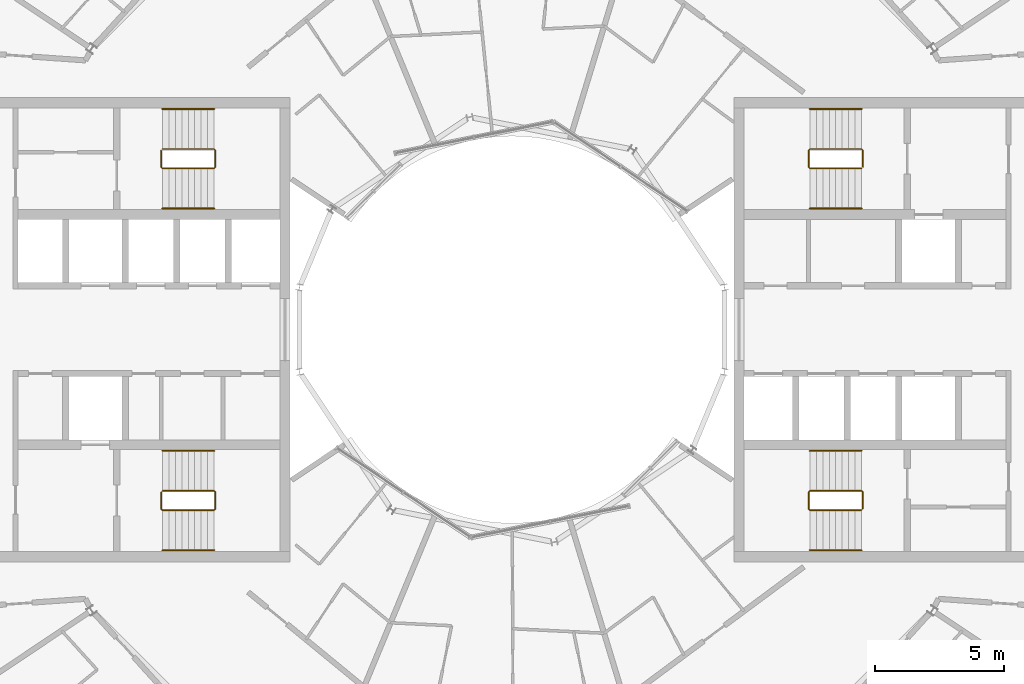
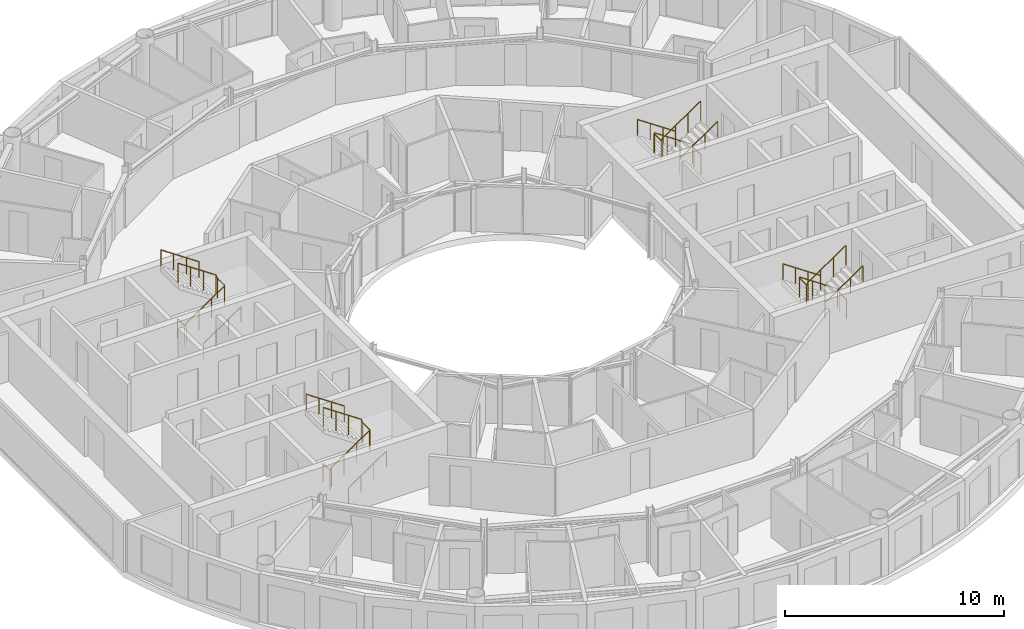
# One storey, part 22 of 22: 12 railings.
"""IFC4 building model written with IfcOpenShell, lengths in metres."""

from ifc_helpers import new_model, si_unit, direction, frame, origin, origin_2d, place, context, subcontext, project, spatial, circle, extrude, material, type_object, element, save


model = new_model("IFC4")

# Units and contexts
model_context = context("Model", 3, precision=1e-05, world=origin(), true_north=direction((0.0, 1.0)))
body_context = subcontext(model_context, "Body", "Model", "MODEL_VIEW")
ifc_project = project(units=[si_unit("LENGTHUNIT", "METRE"), si_unit("AREAUNIT", "SQUARE_METRE"), si_unit("VOLUMEUNIT", "CUBIC_METRE"), si_unit("PLANEANGLEUNIT", "RADIAN"), si_unit("MASSUNIT", "GRAM", prefix="KILO")], contexts=[model_context])

# Site, building, storey
site_placement = place(None, origin())
site = spatial("IfcSite", under=ifc_project, at=site_placement, CompositionType="ELEMENT")
building_placement = place(site_placement, origin())
building = spatial("IfcBuilding", under=site, at=building_placement, Name="Maasbend Ring Residences", CompositionType="ELEMENT")
storey_placement = place(building_placement, frame((0.0, 0.0, 237.10009765625)))
storey = spatial("IfcBuildingStorey", under=building, at=storey_placement, Name="L68", CompositionType="ELEMENT", Elevation=237.10009765625)

# Railings
ifc_material_1 = material(Name="Stainless steel 316", Category="steel")
railing_type_1 = type_object("IfcRailingType", Name="STAIR GUARD 1100", PredefinedType="GUARDRAIL", material=ifc_material_1)
railing_1_placement = place(storey_placement, frame((13.60009765625, 6.300048828125, 0.0)))
element("IfcRailing", 1, at=railing_1_placement, inside=storey, type_object=railing_type_1, Name="L68 ST-E1 stair guard 1", PredefinedType="GUARDRAIL", context=body_context, shape_type="SweptSolid", body=[
    extrude(circle(Radius=0.02392578125, at=origin_2d()), frame((0.0, 0.0, 1.076171875), z_axis=(0.0, 1.0, 0.0), x_axis=(-1.0, 0.0, 0.0)), (0.0, 0.0, 1.0), 0.64990234375),
    extrude(circle(Radius=0.02392578125, at=origin_2d()), frame((0.0, 0.64990234375, 1.076171875), z_axis=(-0.272562526181, 0.272562526181, 0.92272386912), x_axis=(-0.707106781187, -0.707106781187, 0.0)), (0.0, 0.0, 1.0), 0.18359375),
    extrude(circle(Radius=0.02392578125, at=origin_2d()), frame((-0.050048828125, 0.699951171875, 1.24560546875), z_axis=(-0.827797584762, 0.0, 0.561026878735), x_axis=(0.0, -1.0, 0.0)), (0.0, 0.0, 1.0), 2.416015625),
    extrude(circle(Radius=0.02392578125, at=origin_2d()), frame((-2.050048828125, 0.699951171875, 2.60107421875), z_axis=(-0.707106781187, -0.707106781187, 0.0), x_axis=(0.707106781187, -0.707106781187, 0.0)), (0.0, 0.0, 1.0), 0.07080078125),
    extrude(circle(Radius=0.02392578125, at=origin_2d()), frame((-2.10009765625, 0.64990234375, 2.60107421875), z_axis=(0.0, -1.0, 0.0), x_axis=(1.0, 0.0, 0.0)), (0.0, 0.0, 1.0), 0.64990234375),
    extrude(circle(Radius=0.02392578125, at=origin_2d()), frame((-2.10009765625, 0.0, 2.60107421875), z_axis=(0.272562526181, -0.272562526181, 0.92272386912), x_axis=(0.707106781187, 0.707106781187, 0.0)), (0.0, 0.0, 1.0), 0.18359375),
    extrude(circle(Radius=0.02392578125, at=origin_2d()), frame((-2.050048828125, -0.050048828125, 2.7705078125), z_axis=(0.827797584762, 0.0, 0.561026878735), x_axis=(0.0, 1.0, 0.0)), (0.0, 0.0, 1.0), 2.416015625),
    extrude(circle(Radius=0.02099609375, at=origin_2d()), origin(), (0.0, 0.0, 1.0), 1.052001953125),
    extrude(circle(Radius=0.02099609375, at=origin_2d()), frame((0.0, 0.64990234375, 0.0)), (0.0, 0.0, 1.0), 1.052001953125),
    extrude(circle(Radius=0.02099609375, at=origin_2d()), frame((-0.050048828125, 0.699951171875, 0.16943359375)), (0.0, 0.0, 1.0), 1.052001953125),
    extrude(circle(Radius=0.02099609375, at=origin_2d()), frame((-0.716796875, 0.699951171875, 0.621337890625)), (0.0, 0.0, 1.0), 1.052001953125),
    extrude(circle(Radius=0.02099609375, at=origin_2d()), frame((-1.38330078125, 0.699951171875, 1.072998046875)), (0.0, 0.0, 1.0), 1.052001953125),
    extrude(circle(Radius=0.02099609375, at=origin_2d()), frame((-2.050048828125, 0.699951171875, 1.52490234375)), (0.0, 0.0, 1.0), 1.052001953125),
    extrude(circle(Radius=0.02099609375, at=origin_2d()), frame((-2.10009765625, 0.64990234375, 1.52490234375)), (0.0, 0.0, 1.0), 1.052001953125),
    extrude(circle(Radius=0.02099609375, at=origin_2d()), frame((-2.10009765625, 0.0, 1.52490234375)), (0.0, 0.0, 1.0), 1.052001953125),
    extrude(circle(Radius=0.02099609375, at=origin_2d()), frame((-2.050048828125, -0.050048828125, 1.6943359375)), (0.0, 0.0, 1.0), 1.052001953125),
    extrude(circle(Radius=0.02099609375, at=origin_2d()), frame((-1.38330078125, -0.050048828125, 2.146240234375)), (0.0, 0.0, 1.0), 1.052001953125),
    extrude(circle(Radius=0.02099609375, at=origin_2d()), frame((-0.716796875, -0.050048828125, 2.597900390625)), (0.0, 0.0, 1.0), 1.052001953125),
    extrude(circle(Radius=0.02099609375, at=origin_2d()), frame((-0.050048828125, -0.050048828125, 3.0498046875)), (0.0, 0.0, 1.0), 1.052001953125),
])
railing_2_placement = place(storey_placement, frame((13.60009765625, -6.949951171875, 0.0)))
element("IfcRailing", 2, at=railing_2_placement, inside=storey, type_object=railing_type_1, Name="L68 ST-E2 stair guard 1", PredefinedType="GUARDRAIL", context=body_context, shape_type="SweptSolid", body=[
    extrude(circle(Radius=0.02392578125, at=origin_2d()), frame((0.0, 0.0, 1.076171875), z_axis=(0.0, 1.0, 0.0), x_axis=(-1.0, 0.0, 0.0)), (0.0, 0.0, 1.0), 0.64990234375),
    extrude(circle(Radius=0.02392578125, at=origin_2d()), frame((0.0, 0.64990234375, 1.076171875), z_axis=(-0.272562526181, 0.272562526181, 0.92272386912), x_axis=(-0.707106781187, -0.707106781187, 0.0)), (0.0, 0.0, 1.0), 0.18359375),
    extrude(circle(Radius=0.02392578125, at=origin_2d()), frame((-0.050048828125, 0.699951171875, 1.24560546875), z_axis=(-0.827797584762, 0.0, 0.561026878735), x_axis=(0.0, -1.0, 0.0)), (0.0, 0.0, 1.0), 2.416015625),
    extrude(circle(Radius=0.02392578125, at=origin_2d()), frame((-2.050048828125, 0.699951171875, 2.60107421875), z_axis=(-0.707106781187, -0.707106781187, 0.0), x_axis=(0.707106781187, -0.707106781187, 0.0)), (0.0, 0.0, 1.0), 0.07080078125),
    extrude(circle(Radius=0.02392578125, at=origin_2d()), frame((-2.10009765625, 0.64990234375, 2.60107421875), z_axis=(0.0, -1.0, 0.0), x_axis=(1.0, 0.0, 0.0)), (0.0, 0.0, 1.0), 0.64990234375),
    extrude(circle(Radius=0.02392578125, at=origin_2d()), frame((-2.10009765625, 0.0, 2.60107421875), z_axis=(0.272562526181, -0.272562526181, 0.92272386912), x_axis=(0.707106781187, 0.707106781187, 0.0)), (0.0, 0.0, 1.0), 0.18359375),
    extrude(circle(Radius=0.02392578125, at=origin_2d()), frame((-2.050048828125, -0.050048828125, 2.7705078125), z_axis=(0.827797584762, 0.0, 0.561026878735), x_axis=(0.0, 1.0, 0.0)), (0.0, 0.0, 1.0), 2.416015625),
    extrude(circle(Radius=0.02099609375, at=origin_2d()), origin(), (0.0, 0.0, 1.0), 1.052001953125),
    extrude(circle(Radius=0.02099609375, at=origin_2d()), frame((0.0, 0.64990234375, 0.0)), (0.0, 0.0, 1.0), 1.052001953125),
    extrude(circle(Radius=0.02099609375, at=origin_2d()), frame((-0.050048828125, 0.699951171875, 0.16943359375)), (0.0, 0.0, 1.0), 1.052001953125),
    extrude(circle(Radius=0.02099609375, at=origin_2d()), frame((-0.716796875, 0.699951171875, 0.621337890625)), (0.0, 0.0, 1.0), 1.052001953125),
    extrude(circle(Radius=0.02099609375, at=origin_2d()), frame((-1.38330078125, 0.699951171875, 1.072998046875)), (0.0, 0.0, 1.0), 1.052001953125),
    extrude(circle(Radius=0.02099609375, at=origin_2d()), frame((-2.050048828125, 0.699951171875, 1.52490234375)), (0.0, 0.0, 1.0), 1.052001953125),
    extrude(circle(Radius=0.02099609375, at=origin_2d()), frame((-2.10009765625, 0.64990234375, 1.52490234375)), (0.0, 0.0, 1.0), 1.052001953125),
    extrude(circle(Radius=0.02099609375, at=origin_2d()), frame((-2.10009765625, 0.0, 1.52490234375)), (0.0, 0.0, 1.0), 1.052001953125),
    extrude(circle(Radius=0.02099609375, at=origin_2d()), frame((-2.050048828125, -0.050048828125, 1.6943359375)), (0.0, 0.0, 1.0), 1.052001953125),
    extrude(circle(Radius=0.02099609375, at=origin_2d()), frame((-1.38330078125, -0.050048828125, 2.146240234375)), (0.0, 0.0, 1.0), 1.052001953125),
    extrude(circle(Radius=0.02099609375, at=origin_2d()), frame((-0.716796875, -0.050048828125, 2.597900390625)), (0.0, 0.0, 1.0), 1.052001953125),
    extrude(circle(Radius=0.02099609375, at=origin_2d()), frame((-0.050048828125, -0.050048828125, 3.0498046875)), (0.0, 0.0, 1.0), 1.052001953125),
])
railing_3_placement = place(storey_placement, frame((-13.60009765625, -6.300048828125, 0.0)))
element("IfcRailing", 3, at=railing_3_placement, inside=storey, type_object=railing_type_1, Name="L68 ST-W1 stair guard 1", PredefinedType="GUARDRAIL", context=body_context, shape_type="SweptSolid", body=[
    extrude(circle(Radius=0.02392578125, at=origin_2d()), frame((0.0, 0.0, 1.076171875), z_axis=(0.0, -1.0, 0.0), x_axis=(1.0, 0.0, 0.0)), (0.0, 0.0, 1.0), 0.64990234375),
    extrude(circle(Radius=0.02392578125, at=origin_2d()), frame((0.0, -0.64990234375, 1.076171875), z_axis=(0.272562526181, -0.272562526181, 0.92272386912), x_axis=(0.707106781187, 0.707106781187, 0.0)), (0.0, 0.0, 1.0), 0.18359375),
    extrude(circle(Radius=0.02392578125, at=origin_2d()), frame((0.050048828125, -0.699951171875, 1.24560546875), z_axis=(0.827797584762, 0.0, 0.561026878735), x_axis=(0.0, 1.0, 0.0)), (0.0, 0.0, 1.0), 2.416015625),
    extrude(circle(Radius=0.02392578125, at=origin_2d()), frame((2.050048828125, -0.699951171875, 2.60107421875), z_axis=(0.707106781187, 0.707106781187, 0.0), x_axis=(-0.707106781187, 0.707106781187, 0.0)), (0.0, 0.0, 1.0), 0.07080078125),
    extrude(circle(Radius=0.02392578125, at=origin_2d()), frame((2.10009765625, -0.64990234375, 2.60107421875), z_axis=(0.0, 1.0, 0.0), x_axis=(-1.0, 0.0, 0.0)), (0.0, 0.0, 1.0), 0.64990234375),
    extrude(circle(Radius=0.02392578125, at=origin_2d()), frame((2.10009765625, 0.0, 2.60107421875), z_axis=(-0.272562526181, 0.272562526181, 0.92272386912), x_axis=(-0.707106781187, -0.707106781187, 0.0)), (0.0, 0.0, 1.0), 0.18359375),
    extrude(circle(Radius=0.02392578125, at=origin_2d()), frame((2.050048828125, 0.050048828125, 2.7705078125), z_axis=(-0.827797584762, 0.0, 0.561026878735), x_axis=(0.0, -1.0, 0.0)), (0.0, 0.0, 1.0), 2.416015625),
    extrude(circle(Radius=0.02099609375, at=origin_2d()), origin(), (0.0, 0.0, 1.0), 1.052001953125),
    extrude(circle(Radius=0.02099609375, at=origin_2d()), frame((0.0, -0.64990234375, 0.0)), (0.0, 0.0, 1.0), 1.052001953125),
    extrude(circle(Radius=0.02099609375, at=origin_2d()), frame((0.050048828125, -0.699951171875, 0.16943359375)), (0.0, 0.0, 1.0), 1.052001953125),
    extrude(circle(Radius=0.02099609375, at=origin_2d()), frame((0.716796875, -0.699951171875, 0.621337890625)), (0.0, 0.0, 1.0), 1.052001953125),
    extrude(circle(Radius=0.02099609375, at=origin_2d()), frame((1.38330078125, -0.699951171875, 1.072998046875)), (0.0, 0.0, 1.0), 1.052001953125),
    extrude(circle(Radius=0.02099609375, at=origin_2d()), frame((2.050048828125, -0.699951171875, 1.52490234375)), (0.0, 0.0, 1.0), 1.052001953125),
    extrude(circle(Radius=0.02099609375, at=origin_2d()), frame((2.10009765625, -0.64990234375, 1.52490234375)), (0.0, 0.0, 1.0), 1.052001953125),
    extrude(circle(Radius=0.02099609375, at=origin_2d()), frame((2.10009765625, 0.0, 1.52490234375)), (0.0, 0.0, 1.0), 1.052001953125),
    extrude(circle(Radius=0.02099609375, at=origin_2d()), frame((2.050048828125, 0.050048828125, 1.6943359375)), (0.0, 0.0, 1.0), 1.052001953125),
    extrude(circle(Radius=0.02099609375, at=origin_2d()), frame((1.38330078125, 0.050048828125, 2.146240234375)), (0.0, 0.0, 1.0), 1.052001953125),
    extrude(circle(Radius=0.02099609375, at=origin_2d()), frame((0.716796875, 0.050048828125, 2.597900390625)), (0.0, 0.0, 1.0), 1.052001953125),
    extrude(circle(Radius=0.02099609375, at=origin_2d()), frame((0.050048828125, 0.050048828125, 3.0498046875)), (0.0, 0.0, 1.0), 1.052001953125),
])
railing_4_placement = place(storey_placement, frame((-13.60009765625, 6.949951171875, 0.0)))
element("IfcRailing", 4, at=railing_4_placement, inside=storey, type_object=railing_type_1, Name="L68 ST-W2 stair guard 1", PredefinedType="GUARDRAIL", context=body_context, shape_type="SweptSolid", body=[
    extrude(circle(Radius=0.02392578125, at=origin_2d()), frame((0.0, 0.0, 1.076171875), z_axis=(0.0, -1.0, 0.0), x_axis=(1.0, 0.0, 0.0)), (0.0, 0.0, 1.0), 0.64990234375),
    extrude(circle(Radius=0.02392578125, at=origin_2d()), frame((0.0, -0.64990234375, 1.076171875), z_axis=(0.272562526181, -0.272562526181, 0.92272386912), x_axis=(0.707106781187, 0.707106781187, 0.0)), (0.0, 0.0, 1.0), 0.18359375),
    extrude(circle(Radius=0.02392578125, at=origin_2d()), frame((0.050048828125, -0.699951171875, 1.24560546875), z_axis=(0.827797584762, 0.0, 0.561026878735), x_axis=(0.0, 1.0, 0.0)), (0.0, 0.0, 1.0), 2.416015625),
    extrude(circle(Radius=0.02392578125, at=origin_2d()), frame((2.050048828125, -0.699951171875, 2.60107421875), z_axis=(0.707106781187, 0.707106781187, 0.0), x_axis=(-0.707106781187, 0.707106781187, 0.0)), (0.0, 0.0, 1.0), 0.07080078125),
    extrude(circle(Radius=0.02392578125, at=origin_2d()), frame((2.10009765625, -0.64990234375, 2.60107421875), z_axis=(0.0, 1.0, 0.0), x_axis=(-1.0, 0.0, 0.0)), (0.0, 0.0, 1.0), 0.64990234375),
    extrude(circle(Radius=0.02392578125, at=origin_2d()), frame((2.10009765625, 0.0, 2.60107421875), z_axis=(-0.272562526181, 0.272562526181, 0.92272386912), x_axis=(-0.707106781187, -0.707106781187, 0.0)), (0.0, 0.0, 1.0), 0.18359375),
    extrude(circle(Radius=0.02392578125, at=origin_2d()), frame((2.050048828125, 0.050048828125, 2.7705078125), z_axis=(-0.827797584762, 0.0, 0.561026878735), x_axis=(0.0, -1.0, 0.0)), (0.0, 0.0, 1.0), 2.416015625),
    extrude(circle(Radius=0.02099609375, at=origin_2d()), origin(), (0.0, 0.0, 1.0), 1.052001953125),
    extrude(circle(Radius=0.02099609375, at=origin_2d()), frame((0.0, -0.64990234375, 0.0)), (0.0, 0.0, 1.0), 1.052001953125),
    extrude(circle(Radius=0.02099609375, at=origin_2d()), frame((0.050048828125, -0.699951171875, 0.16943359375)), (0.0, 0.0, 1.0), 1.052001953125),
    extrude(circle(Radius=0.02099609375, at=origin_2d()), frame((0.716796875, -0.699951171875, 0.621337890625)), (0.0, 0.0, 1.0), 1.052001953125),
    extrude(circle(Radius=0.02099609375, at=origin_2d()), frame((1.38330078125, -0.699951171875, 1.072998046875)), (0.0, 0.0, 1.0), 1.052001953125),
    extrude(circle(Radius=0.02099609375, at=origin_2d()), frame((2.050048828125, -0.699951171875, 1.52490234375)), (0.0, 0.0, 1.0), 1.052001953125),
    extrude(circle(Radius=0.02099609375, at=origin_2d()), frame((2.10009765625, -0.64990234375, 1.52490234375)), (0.0, 0.0, 1.0), 1.052001953125),
    extrude(circle(Radius=0.02099609375, at=origin_2d()), frame((2.10009765625, 0.0, 1.52490234375)), (0.0, 0.0, 1.0), 1.052001953125),
    extrude(circle(Radius=0.02099609375, at=origin_2d()), frame((2.050048828125, 0.050048828125, 1.6943359375)), (0.0, 0.0, 1.0), 1.052001953125),
    extrude(circle(Radius=0.02099609375, at=origin_2d()), frame((1.38330078125, 0.050048828125, 2.146240234375)), (0.0, 0.0, 1.0), 1.052001953125),
    extrude(circle(Radius=0.02099609375, at=origin_2d()), frame((0.716796875, 0.050048828125, 2.597900390625)), (0.0, 0.0, 1.0), 1.052001953125),
    extrude(circle(Radius=0.02099609375, at=origin_2d()), frame((0.050048828125, 0.050048828125, 3.0498046875)), (0.0, 0.0, 1.0), 1.052001953125),
])
ifc_material_2 = material(Name="Stainless steel 316", Category="steel")
railing_type_2 = type_object("IfcRailingType", Name="STAIR HANDRAIL 900", PredefinedType="HANDRAIL", material=ifc_material_2)
railing_5_placement = place(storey_placement, frame((13.550048828125, 8.550048828125, 0.16943359375)))
element("IfcRailing", 5, at=railing_5_placement, inside=storey, type_object=railing_type_2, Name="L68 ST-E1 stair handrail 1", PredefinedType="HANDRAIL", context=body_context, shape_type="SweptSolid", body=[
    extrude(circle(Radius=0.02392578125, at=origin_2d()), frame((0.0, 0.0, 0.8759765625), z_axis=(-0.827797584762, 0.0, 0.561026878735), x_axis=(0.0, -1.0, 0.0)), (0.0, 0.0, 1.0), 2.416015625),
    extrude(circle(Radius=0.02099609375, at=origin_2d()), origin(), (0.0, 0.0, 1.0), 0.851806640625),
    extrude(circle(Radius=0.02099609375, at=origin_2d()), frame((-0.666748046875, 0.0, 0.451904296875)), (0.0, 0.0, 1.0), 0.851806640625),
    extrude(circle(Radius=0.02099609375, at=origin_2d()), frame((-1.333251953125, 0.0, 0.903564453125)), (0.0, 0.0, 1.0), 0.851806640625),
    extrude(circle(Radius=0.02099609375, at=origin_2d()), frame((-2.0, 0.0, 1.35546875)), (0.0, 0.0, 1.0), 0.851806640625),
])
railing_6_placement = place(storey_placement, frame((11.550048828125, 4.699951171875, 1.6943359375)))
element("IfcRailing", 6, at=railing_6_placement, inside=storey, type_object=railing_type_2, Name="L68 ST-E1 stair handrail 2", PredefinedType="HANDRAIL", context=body_context, shape_type="SweptSolid", body=[
    extrude(circle(Radius=0.02392578125, at=origin_2d()), frame((0.0, 0.0, 0.8759765625), z_axis=(0.827797584762, 0.0, 0.561026878735), x_axis=(0.0, 1.0, 0.0)), (0.0, 0.0, 1.0), 2.416015625),
    extrude(circle(Radius=0.02099609375, at=origin_2d()), origin(), (0.0, 0.0, 1.0), 0.851806640625),
    extrude(circle(Radius=0.02099609375, at=origin_2d()), frame((0.666748046875, 0.0, 0.451904296875)), (0.0, 0.0, 1.0), 0.851806640625),
    extrude(circle(Radius=0.02099609375, at=origin_2d()), frame((1.333251953125, 0.0, 0.903564453125)), (0.0, 0.0, 1.0), 0.851806640625),
    extrude(circle(Radius=0.02099609375, at=origin_2d()), frame((2.0, 0.0, 1.35546875)), (0.0, 0.0, 1.0), 0.851806640625),
])
railing_7_placement = place(storey_placement, frame((13.550048828125, -4.699951171875, 0.16943359375)))
element("IfcRailing", 7, at=railing_7_placement, inside=storey, type_object=railing_type_2, Name="L68 ST-E2 stair handrail 1", PredefinedType="HANDRAIL", context=body_context, shape_type="SweptSolid", body=[
    extrude(circle(Radius=0.02392578125, at=origin_2d()), frame((0.0, 0.0, 0.8759765625), z_axis=(-0.827797584762, 0.0, 0.561026878735), x_axis=(0.0, -1.0, 0.0)), (0.0, 0.0, 1.0), 2.416015625),
    extrude(circle(Radius=0.02099609375, at=origin_2d()), origin(), (0.0, 0.0, 1.0), 0.851806640625),
    extrude(circle(Radius=0.02099609375, at=origin_2d()), frame((-0.666748046875, 0.0, 0.451904296875)), (0.0, 0.0, 1.0), 0.851806640625),
    extrude(circle(Radius=0.02099609375, at=origin_2d()), frame((-1.333251953125, 0.0, 0.903564453125)), (0.0, 0.0, 1.0), 0.851806640625),
    extrude(circle(Radius=0.02099609375, at=origin_2d()), frame((-2.0, 0.0, 1.35546875)), (0.0, 0.0, 1.0), 0.851806640625),
])
for number, where, name in (
    (8, (11.550048828125, -8.550048828125, 1.6943359375), "L68 ST-E2 stair handrail 2"),
    (9, (-13.550048828125, -8.550048828125, 0.16943359375), "L68 ST-W1 stair handrail 1"),
):
    element("IfcRailing", number, at=place(storey_placement, frame(where)), inside=storey, type_object=railing_type_2, Name=name, PredefinedType="HANDRAIL", context=body_context, shape_type="SweptSolid", body=[
        extrude(circle(Radius=0.02392578125, at=origin_2d()), frame((0.0, 0.0, 0.8759765625), z_axis=(0.827797584762, 0.0, 0.561026878735), x_axis=(0.0, 1.0, 0.0)), (0.0, 0.0, 1.0), 2.416015625),
        extrude(circle(Radius=0.02099609375, at=origin_2d()), origin(), (0.0, 0.0, 1.0), 0.851806640625),
        extrude(circle(Radius=0.02099609375, at=origin_2d()), frame((0.666748046875, 0.0, 0.451904296875)), (0.0, 0.0, 1.0), 0.851806640625),
        extrude(circle(Radius=0.02099609375, at=origin_2d()), frame((1.333251953125, 0.0, 0.903564453125)), (0.0, 0.0, 1.0), 0.851806640625),
        extrude(circle(Radius=0.02099609375, at=origin_2d()), frame((2.0, 0.0, 1.35546875)), (0.0, 0.0, 1.0), 0.851806640625),
    ])
railing_8_placement = place(storey_placement, frame((-11.550048828125, -4.699951171875, 1.6943359375)))
element("IfcRailing", 10, at=railing_8_placement, inside=storey, type_object=railing_type_2, Name="L68 ST-W1 stair handrail 2", PredefinedType="HANDRAIL", context=body_context, shape_type="SweptSolid", body=[
    extrude(circle(Radius=0.02392578125, at=origin_2d()), frame((0.0, 0.0, 0.8759765625), z_axis=(-0.827797584762, 0.0, 0.561026878735), x_axis=(0.0, -1.0, 0.0)), (0.0, 0.0, 1.0), 2.416015625),
    extrude(circle(Radius=0.02099609375, at=origin_2d()), origin(), (0.0, 0.0, 1.0), 0.851806640625),
    extrude(circle(Radius=0.02099609375, at=origin_2d()), frame((-0.666748046875, 0.0, 0.451904296875)), (0.0, 0.0, 1.0), 0.851806640625),
    extrude(circle(Radius=0.02099609375, at=origin_2d()), frame((-1.333251953125, 0.0, 0.903564453125)), (0.0, 0.0, 1.0), 0.851806640625),
    extrude(circle(Radius=0.02099609375, at=origin_2d()), frame((-2.0, 0.0, 1.35546875)), (0.0, 0.0, 1.0), 0.851806640625),
])
railing_9_placement = place(storey_placement, frame((-13.550048828125, 4.699951171875, 0.16943359375)))
element("IfcRailing", 11, at=railing_9_placement, inside=storey, type_object=railing_type_2, Name="L68 ST-W2 stair handrail 1", PredefinedType="HANDRAIL", context=body_context, shape_type="SweptSolid", body=[
    extrude(circle(Radius=0.02392578125, at=origin_2d()), frame((0.0, 0.0, 0.8759765625), z_axis=(0.827797584762, 0.0, 0.561026878735), x_axis=(0.0, 1.0, 0.0)), (0.0, 0.0, 1.0), 2.416015625),
    extrude(circle(Radius=0.02099609375, at=origin_2d()), origin(), (0.0, 0.0, 1.0), 0.851806640625),
    extrude(circle(Radius=0.02099609375, at=origin_2d()), frame((0.666748046875, 0.0, 0.451904296875)), (0.0, 0.0, 1.0), 0.851806640625),
    extrude(circle(Radius=0.02099609375, at=origin_2d()), frame((1.333251953125, 0.0, 0.903564453125)), (0.0, 0.0, 1.0), 0.851806640625),
    extrude(circle(Radius=0.02099609375, at=origin_2d()), frame((2.0, 0.0, 1.35546875)), (0.0, 0.0, 1.0), 0.851806640625),
])
railing_10_placement = place(storey_placement, frame((-11.550048828125, 8.550048828125, 1.6943359375)))
element("IfcRailing", 12, at=railing_10_placement, inside=storey, type_object=railing_type_2, Name="L68 ST-W2 stair handrail 2", PredefinedType="HANDRAIL", context=body_context, shape_type="SweptSolid", body=[
    extrude(circle(Radius=0.02392578125, at=origin_2d()), frame((0.0, 0.0, 0.8759765625), z_axis=(-0.827797584762, 0.0, 0.561026878735), x_axis=(0.0, -1.0, 0.0)), (0.0, 0.0, 1.0), 2.416015625),
    extrude(circle(Radius=0.02099609375, at=origin_2d()), origin(), (0.0, 0.0, 1.0), 0.851806640625),
    extrude(circle(Radius=0.02099609375, at=origin_2d()), frame((-0.666748046875, 0.0, 0.451904296875)), (0.0, 0.0, 1.0), 0.851806640625),
    extrude(circle(Radius=0.02099609375, at=origin_2d()), frame((-1.333251953125, 0.0, 0.903564453125)), (0.0, 0.0, 1.0), 0.851806640625),
    extrude(circle(Radius=0.02099609375, at=origin_2d()), frame((-2.0, 0.0, 1.35546875)), (0.0, 0.0, 1.0), 0.851806640625),
])

save(model, "model.ifc")
